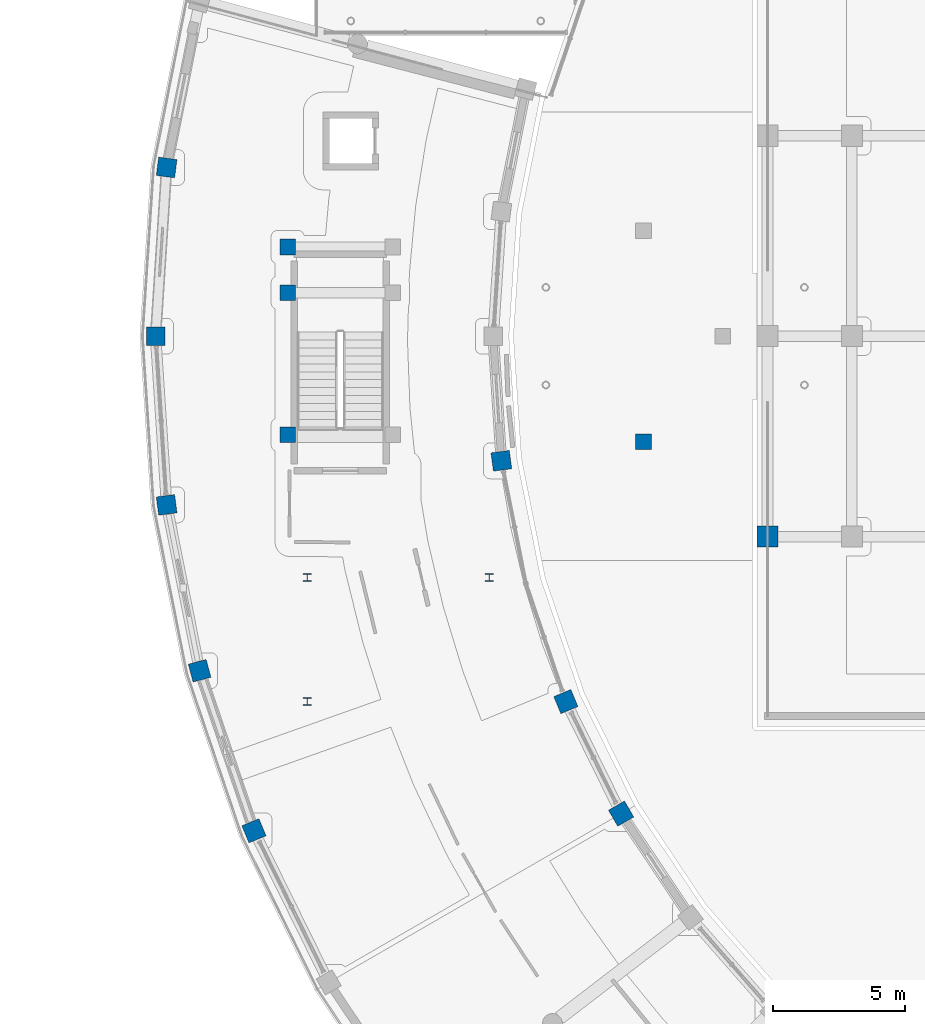
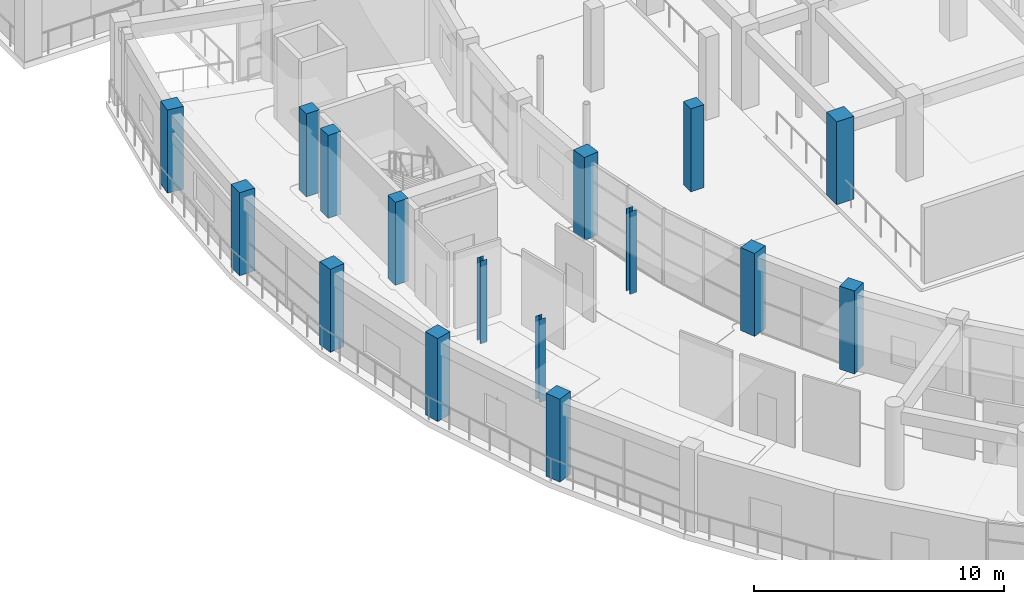
# One storey, part 3 of 87: 16 columns.
"""IFC4 building model written with IfcOpenShell, lengths in metres."""

from ifc_helpers import new_model, si_unit, direction, frame, origin, origin_2d, place, context, subcontext, project, spatial, rectangle, i_section, extrude, material, material_profile, profile_set, type_object, element, save


model = new_model("IFC4")

# Units and contexts
model_context = context("Model", 3, precision=1e-05, world=origin(), true_north=direction((0.0, 1.0)))
body_context = subcontext(model_context, "Body", "Model", "MODEL_VIEW")
ifc_project = project(units=[si_unit("LENGTHUNIT", "METRE"), si_unit("AREAUNIT", "SQUARE_METRE"), si_unit("VOLUMEUNIT", "CUBIC_METRE"), si_unit("PLANEANGLEUNIT", "RADIAN"), si_unit("MASSUNIT", "GRAM", prefix="KILO")], contexts=[model_context])

# Site, building, storey
site_placement = place(None, origin())
site = spatial("IfcSite", under=ifc_project, at=site_placement, CompositionType="ELEMENT")
building_placement = place(site_placement, origin())
building = spatial("IfcBuilding", under=site, at=building_placement, Name="Saryqyr Civic Hall", CompositionType="ELEMENT")
storey_placement = place(building_placement, frame((0.0, 0.0, 5.10009765625)))
storey = spatial("IfcBuildingStorey", under=building, at=storey_placement, Name="L01", CompositionType="ELEMENT", Elevation=5.10009765625)

# Columns
ifc_material_1 = material(Name="Steel S355", Category="steel")
ifc_material_profile_1 = material_profile(ifc_material_1, i_section(OverallWidth=0.300048828125, OverallDepth=0.2900390625, WebThickness=0.008544921875, FlangeThickness=0.013916015625, at=origin_2d()), Name="HEA 300")
ifc_profile_set_1 = profile_set([ifc_material_profile_1], Name="Steel S355")
column_type_1 = type_object("IfcColumnType", Name="STR-COL-HEA300-S355", PredefinedType="COLUMN", material=ifc_profile_set_1)
for number, where, z_axis, x_axis, name in (
    (1, (13.75, 70.14990234375, 0.0), (0.0, 0.0, 1.0), (1.0, 0.0, 0.0), "Column RGV4-COL-1-L01"),
    (2, (20.64990234375, 74.85009765625, 0.0), (0.0, 0.0, 1.0), (1.0, 0.0, 0.0), "Column RGV4-COL-3-L01"),
    (3, (13.75, 74.85009765625, 0.0), (0.0, 0.0, 1.0), (1.0, 0.0, 0.0), "Column RGV4-COL-4-L01"),
):
    element("IfcColumn", number, at=place(storey_placement, frame(where, z_axis=z_axis, x_axis=x_axis)), inside=storey, type_object=column_type_1, Name=name, PredefinedType="COLUMN", context=body_context, shape_type="SweptSolid", body=[
        extrude(i_section(OverallWidth=0.300048828125, OverallDepth=0.2900390625, WebThickness=0.008544921875, FlangeThickness=0.013916015625, at=origin_2d()), origin(), (0.0, 0.0, 1.0), 4.0498046875),
    ])
ifc_material_2 = material(Name="Concrete C40/50", Category="concrete")
ifc_material_profile_2 = material_profile(ifc_material_2, rectangle(XDim=0.60009765625, YDim=0.60009765625, at=origin_2d()), Name="RC 600x600")
ifc_profile_set_2 = profile_set([ifc_material_profile_2], Name="Concrete C40/50")
column_type_2 = type_object("IfcColumnType", Name="STR-COL-RC600-C40", PredefinedType="COLUMN", material=ifc_profile_set_2)
for number, where, z_axis, x_axis, name in (
    (4, (13.010009765625, 80.264892578125, 0.0), (0.0, 0.0, 1.0), (1.0, 0.0, 0.0), "Column ST-4-SCOL-TRMB-L01"),
    (5, (13.010009765625, 85.64990234375, 0.0), (0.0, 0.0, 1.0), (1.0, 0.0, 0.0), "Column ST-4-SCOL-LND1B-L01"),
    (6, (13.010009765625, 87.3798828125, 0.0), (0.0, 0.0, 1.0), (1.0, 0.0, 0.0), "Column ST-4-SCOL-LND2B-L01"),
    (7, (26.5, 80.0, 0.0), (0.0, 0.0, 1.0), (1.0, 0.0, 0.0), "Column V2-XCOL-01-L01"),
):
    element("IfcColumn", number, at=place(storey_placement, frame(where, z_axis=z_axis, x_axis=x_axis)), inside=storey, type_object=column_type_2, Name=name, PredefinedType="COLUMN", context=body_context, shape_type="SweptSolid", body=[
        extrude(rectangle(XDim=0.60009765625, YDim=0.60009765625, at=origin_2d()), origin(), (0.0, 0.0, 1.0), 4.0498046875),
    ])
ifc_material_profile_3 = material_profile(ifc_material_2, rectangle(XDim=0.699951171875, YDim=0.699951171875, at=origin_2d()), Name="RC 700x700")
ifc_profile_set_3 = profile_set([ifc_material_profile_3], Name="Concrete C40/50")
column_type_3 = type_object("IfcColumnType", Name="STR-COL-RC700-C40", PredefinedType="COLUMN", material=ifc_profile_set_3)
for number, where, z_axis, x_axis, name in (
    (8, (8.419189453125, 90.395751953125, 0.0), (0.0, 0.0, 1.0), (-0.991444861374, 0.13052619222, 0.0), "Column V4-COL-OUT01-L01"),
    (9, (8.0, 84.0, 0.0), (0.0, 0.0, 1.0), (-1.0, 0.0, 0.0), "Column V4-COL-OUT02-L01"),
    (10, (21.109619140625, 79.27490234375, 0.0), (0.0, 0.0, 1.0), (-0.991444861374, -0.13052619222, 0.0), "Column V4-COL-IN03-L01"),
    (11, (8.419189453125, 77.604248046875, 0.0), (0.0, 0.0, 1.0), (-0.991444861374, -0.13052619222, 0.0), "Column V4-COL-OUT03-L01"),
    (12, (9.669677734375, 71.31787109375, 0.0), (0.0, 0.0, 1.0), (-0.965925826289, -0.258819045103, 0.0), "Column V4-COL-OUT04-L01"),
    (13, (23.5556640625, 70.14697265625, 0.0), (0.0, 0.0, 1.0), (-0.923879532511, -0.382683432365, 0.0), "Column V4-COL-IN05-L01"),
    (14, (11.72998046875, 65.24853515625, 0.0), (0.0, 0.0, 1.0), (-0.923879532511, -0.382683432365, 0.0), "Column V4-COL-OUT05-L01"),
    (15, (25.64990234375, 65.89990234375, 0.0), (0.0, 0.0, 1.0), (-0.866025403784, -0.5, 0.0), "Column V4-COL-IN06-L01"),
):
    element("IfcColumn", number, at=place(storey_placement, frame(where, z_axis=z_axis, x_axis=x_axis)), inside=storey, type_object=column_type_3, Name=name, PredefinedType="COLUMN", context=body_context, shape_type="SweptSolid", body=[
        extrude(rectangle(XDim=0.699951171875, YDim=0.699951171875, at=origin_2d()), origin(), (0.0, 0.0, 1.0), 4.0498046875),
    ])
ifc_material_profile_4 = material_profile(ifc_material_2, rectangle(XDim=0.800048828125, YDim=0.800048828125, at=origin_2d()), Name="RC 800x800")
ifc_profile_set_4 = profile_set([ifc_material_profile_4], Name="Concrete C40/50")
column_type_4 = type_object("IfcColumnType", Name="STR-COL-RC800-C40", PredefinedType="COLUMN", material=ifc_profile_set_4)
column_placement = place(storey_placement, frame((31.199951171875, 76.39990234375, 0.0), z_axis=(0.0, 0.0, 1.0), x_axis=(1.0, 0.0, 0.0)))
element("IfcColumn", 16, at=column_placement, inside=storey, type_object=column_type_4, Name="Column V1-COL-S0P01-L01", PredefinedType="COLUMN", context=body_context, shape_type="SweptSolid", body=[
    extrude(rectangle(XDim=0.800048828125, YDim=0.800048828125, at=origin_2d()), origin(), (0.0, 0.0, 1.0), 4.0498046875),
])

save(model, "model.ifc")
